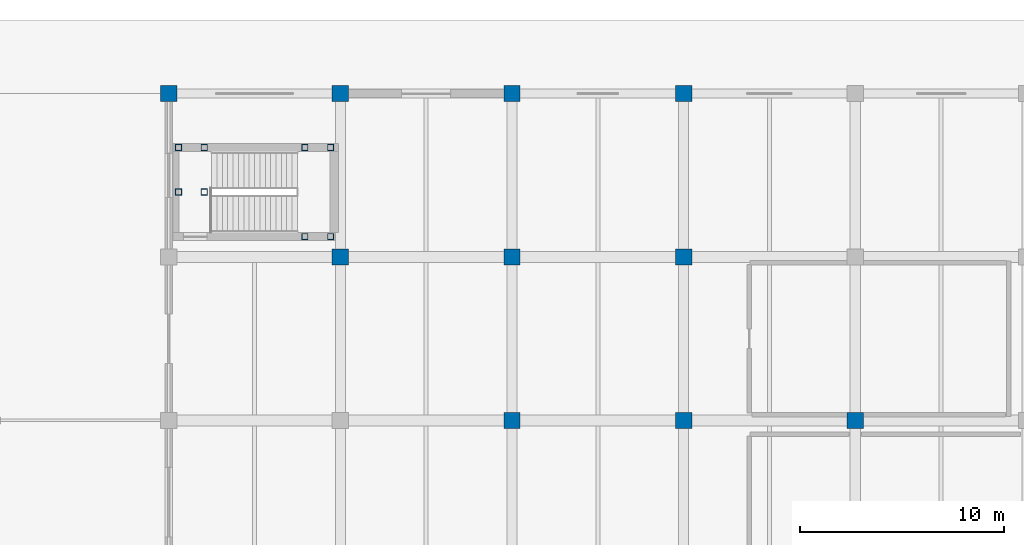
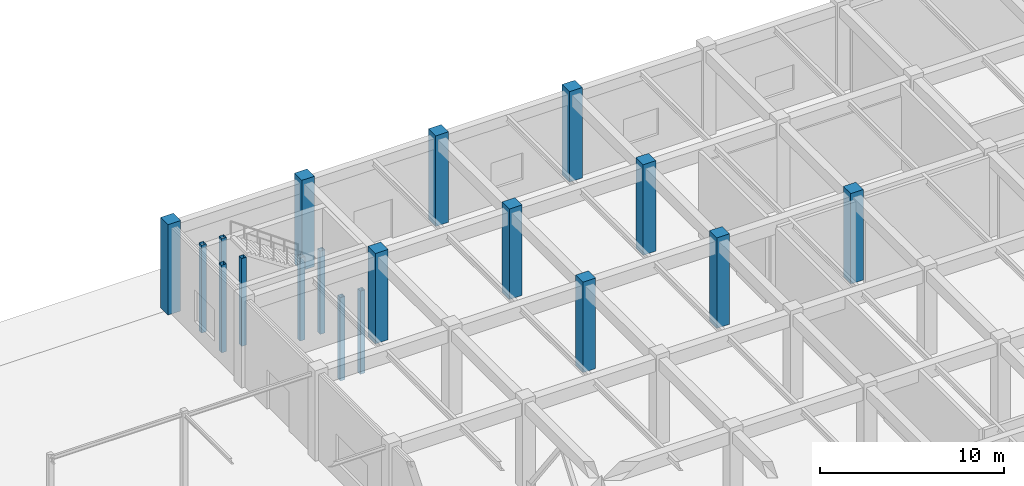
# One storey, part 14 of 76: 18 columns.
"""IFC4 building model written with IfcOpenShell, lengths in metres."""

from ifc_helpers import new_model, si_unit, direction, frame, origin, origin_2d, place, context, subcontext, project, spatial, rectangle, hollow_rectangle, extrude, material, material_profile, profile_set, type_object, element, save


model = new_model("IFC4")

# Units and contexts
model_context = context("Model", 3, precision=1e-05, world=origin(), true_north=direction((0.0, 1.0)))
body_context = subcontext(model_context, "Body", "Model", "MODEL_VIEW")
ifc_project = project(units=[si_unit("LENGTHUNIT", "METRE"), si_unit("AREAUNIT", "SQUARE_METRE"), si_unit("VOLUMEUNIT", "CUBIC_METRE"), si_unit("PLANEANGLEUNIT", "RADIAN"), si_unit("MASSUNIT", "GRAM", prefix="KILO")], contexts=[model_context])

# Site, building, storey
site_placement = place(None, origin())
site = spatial("IfcSite", under=ifc_project, at=site_placement, CompositionType="ELEMENT")
building_placement = place(site_placement, origin())
building = spatial("IfcBuilding", under=site, at=building_placement, Name="Naruveol Harbour Congress Hotel", CompositionType="ELEMENT")
storey_placement = place(building_placement, origin())
storey = spatial("IfcBuildingStorey", under=building, at=storey_placement, Name="L00", CompositionType="ELEMENT", Elevation=0.0)

# Columns
ifc_material_1 = material(Name="Concrete C50/60", Category="concrete")
ifc_material_profile_1 = material_profile(ifc_material_1, rectangle(XDim=0.800048828125, YDim=0.800048828125, at=origin_2d()), Name="RC-800x800")
ifc_profile_set_1 = profile_set([ifc_material_profile_1], Name="Concrete C50/60")
column_type_1 = type_object("IfcColumnType", Name="RC PODIUM COLUMN 800X800", PredefinedType="COLUMN", material=ifc_profile_set_1)
for number, where, z_axis, x_axis, name in (
    (1, (67.199951171875, 112.0, 0.0), (0.0, 0.0, 1.0), (1.0, 0.0, 0.0), "Column C-800 L00 (67.2,112.0)"),
    (2, (75.60009765625, 104.0, 0.0), (0.0, 0.0, 1.0), (1.0, 0.0, 0.0), "Column C-800 L00 (75.6,104.0)"),
    (3, (75.60009765625, 112.0, 0.0), (0.0, 0.0, 1.0), (1.0, 0.0, 0.0), "Column C-800 L00 (75.6,112.0)"),
    (4, (84.0, 96.0, 0.0), (0.0, 0.0, 1.0), (1.0, 0.0, 0.0), "Column C-800 L00 (84.0,96.0)"),
    (5, (84.0, 104.0, 0.0), (0.0, 0.0, 1.0), (1.0, 0.0, 0.0), "Column C-800 L00 (84.0,104.0)"),
    (6, (84.0, 112.0, 0.0), (0.0, 0.0, 1.0), (1.0, 0.0, 0.0), "Column C-800 L00 (84.0,112.0)"),
    (7, (92.39990234375, 96.0, 0.0), (0.0, 0.0, 1.0), (1.0, 0.0, 0.0), "Column C-800 L00 (92.4,96.0)"),
    (8, (92.39990234375, 104.0, 0.0), (0.0, 0.0, 1.0), (1.0, 0.0, 0.0), "Column C-800 L00 (92.4,104.0)"),
    (9, (92.39990234375, 112.0, 0.0), (0.0, 0.0, 1.0), (1.0, 0.0, 0.0), "Column C-800 L00 (92.4,112.0)"),
    (10, (100.800048828125, 96.0, 0.0), (0.0, 0.0, 1.0), (1.0, 0.0, 0.0), "Column C-800 L00 (100.8,96.0)"),
):
    element("IfcColumn", number, at=place(storey_placement, frame(where, z_axis=z_axis, x_axis=x_axis)), inside=storey, type_object=column_type_1, Name=name, PredefinedType="COLUMN", context=body_context, shape_type="SweptSolid", body=[
        extrude(rectangle(XDim=0.800048828125, YDim=0.800048828125, at=origin_2d()), origin(), (0.0, 0.0, 1.0), 6.0),
    ])
ifc_material_2 = material(Name="Steel SN490", Category="steel")
ifc_material_profile_2 = material_profile(ifc_material_2, hollow_rectangle(XDim=0.300048828125, YDim=0.300048828125, WallThickness=0.011962890625, at=origin_2d()), Name="SHS-300x300x12")
ifc_profile_set_2 = profile_set([ifc_material_profile_2], Name="Steel SN490")
column_type_2 = type_object("IfcColumnType", Name="STEEL COLONNADE POST SHS300", PredefinedType="COLUMN", material=ifc_profile_set_2)
for number, where, z_axis, x_axis, name in (
    (11, (67.679931640625, 107.179931640625, 0.0), (0.0, 0.0, 1.0), (1.0, 0.0, 0.0), "Stair landing support post ST8W #402"),
    (12, (67.679931640625, 109.360107421875, 0.0), (0.0, 0.0, 1.0), (1.0, 0.0, 0.0), "Stair landing support post ST8W #405"),
    (13, (68.93994140625, 107.179931640625, 0.0), (0.0, 0.0, 1.0), (1.0, 0.0, 0.0), "Stair landing support post ST8W #408"),
    (14, (68.93994140625, 109.360107421875, 0.0), (0.0, 0.0, 1.0), (1.0, 0.0, 0.0), "Stair landing support post ST8W #411"),
):
    element("IfcColumn", number, at=place(storey_placement, frame(where, z_axis=z_axis, x_axis=x_axis)), inside=storey, type_object=column_type_2, Name=name, PredefinedType="COLUMN", context=body_context, shape_type="SweptSolid", body=[
        extrude(hollow_rectangle(XDim=0.300048828125, YDim=0.300048828125, WallThickness=0.011962890625, at=origin_2d()), origin(), (0.0, 0.0, 1.0), 5.820068359375),
    ])
for number, where, z_axis, x_axis, name in (
    (15, (73.860107421875, 105.0, -2.699951171875), (0.0, 0.0, 1.0), (1.0, 0.0, 0.0), "Stair landing support post ST8E #414"),
    (16, (73.860107421875, 109.360107421875, -2.699951171875), (0.0, 0.0, 1.0), (1.0, 0.0, 0.0), "Stair landing support post ST8E #417"),
    (17, (75.1201171875, 105.0, -2.699951171875), (0.0, 0.0, 1.0), (1.0, 0.0, 0.0), "Stair landing support post ST8E #420"),
    (18, (75.1201171875, 109.360107421875, -2.699951171875), (0.0, 0.0, 1.0), (1.0, 0.0, 0.0), "Stair landing support post ST8E #423"),
):
    element("IfcColumn", number, at=place(storey_placement, frame(where, z_axis=z_axis, x_axis=x_axis)), inside=storey, type_object=column_type_2, Name=name, PredefinedType="COLUMN", context=body_context, shape_type="SweptSolid", body=[
        extrude(hollow_rectangle(XDim=0.300048828125, YDim=0.300048828125, WallThickness=0.011962890625, at=origin_2d()), origin(), (0.0, 0.0, 1.0), 5.52001953125),
    ])

save(model, "model.ifc")
